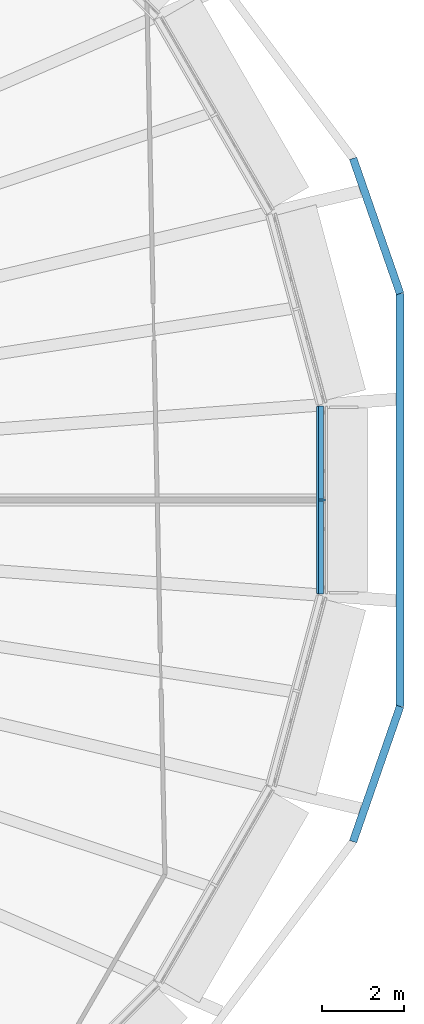
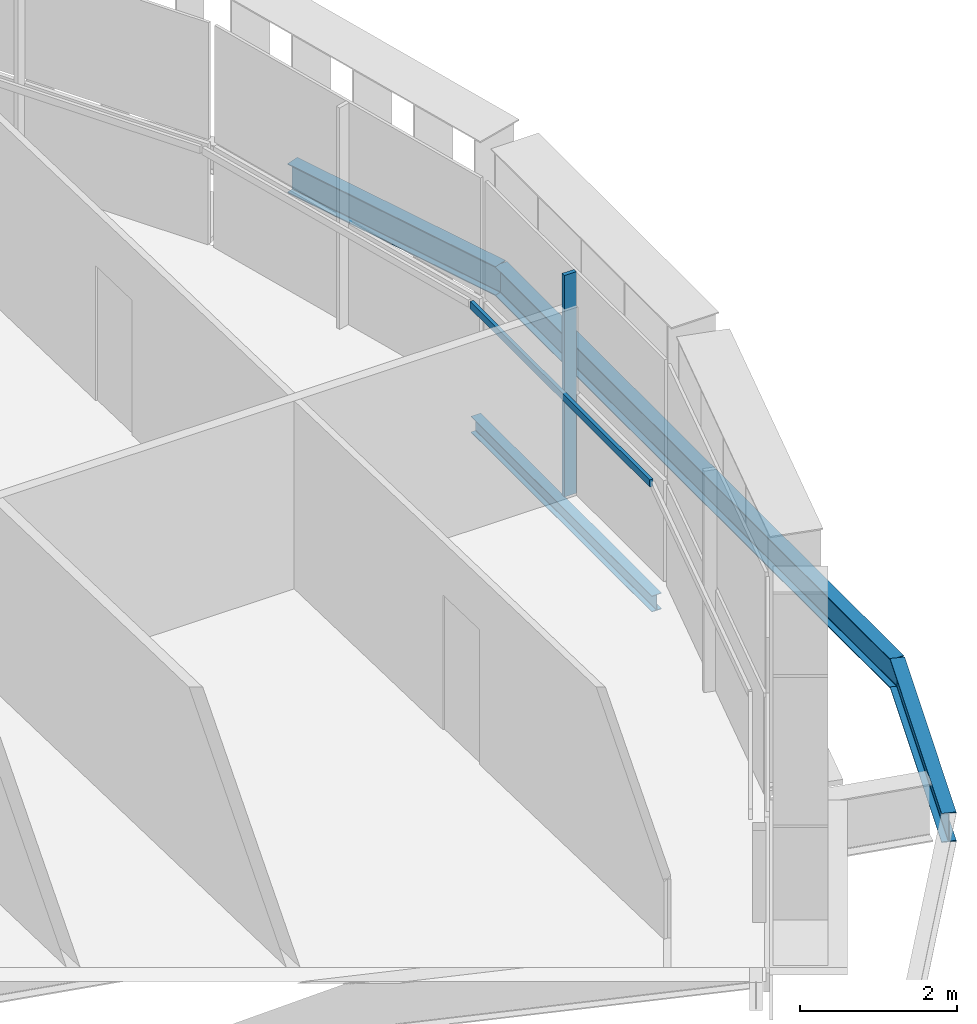
# One storey, part 9 of 23: 4 beams, 2 members, 1 element without a shape of its own.
"""IFC4 building model written with IfcOpenShell, lengths in metres."""

from ifc_helpers import new_model, si_unit, direction, frame, origin, origin_2d, place, context, subcontext, project, spatial, rectangle, i_section, extrude, material, layer, layer_set, material_profile, profile_set, type_object, element, aggregate, save


model = new_model("IFC4")

# Units and contexts
model_context = context("Model", 3, precision=1e-05, world=origin(), true_north=direction((0.0, 1.0)))
body_context = subcontext(model_context, "Body", "Model", "MODEL_VIEW")
ifc_project = project(units=[si_unit("LENGTHUNIT", "METRE"), si_unit("AREAUNIT", "SQUARE_METRE"), si_unit("VOLUMEUNIT", "CUBIC_METRE"), si_unit("PLANEANGLEUNIT", "RADIAN"), si_unit("MASSUNIT", "GRAM", prefix="KILO")], contexts=[model_context])

# Site, building, storey
site_placement = place(None, origin())
site = spatial("IfcSite", under=ifc_project, at=site_placement, CompositionType="ELEMENT")
building_placement = place(site_placement, origin())
building = spatial("IfcBuilding", under=site, at=building_placement, Name="Sahrelin Media Tower", CompositionType="ELEMENT")
storey_placement = place(building_placement, frame((0.0, 0.0, 161.60009765625)))
storey = spatial("IfcBuildingStorey", under=building, at=storey_placement, Name="L33", CompositionType="ELEMENT", Elevation=161.60009765625)

# Beam
ifc_material_1 = material(Name="Steel S355", Category="steel")
ifc_material_profile_1 = material_profile(ifc_material_1, i_section(OverallWidth=0.14599609375, OverallDepth=0.25146484375, WebThickness=0.006103515625, FlangeThickness=0.008544921875, FilletRadius=0.007568359375, at=origin_2d()), Name="UB 254x146x31")
ifc_profile_set_1 = profile_set([ifc_material_profile_1], Name="Steel S355")
beam_type_1 = type_object("IfcBeamType", Name="Edge beam EB1", PredefinedType="BEAM", material=ifc_profile_set_1)
beam_1_placement = place(storey_placement, frame((31.201416015625, 2.30859375, -0.27587890625), z_axis=(0.0, -1.0, 0.0), x_axis=(1.0, 0.0, 0.0)))
element("IfcBeam", 1, at=beam_1_placement, inside=storey, type_object=beam_type_1, Name="Edge beam L33-01", PredefinedType="BEAM", context=body_context, shape_type="SweptSolid", body=[
    extrude(i_section(OverallWidth=0.14599609375, OverallDepth=0.25146484375, WebThickness=0.006103515625, FlangeThickness=0.008544921875, FilletRadius=0.007568359375, at=origin_2d()), origin(), (0.0, 0.0, 1.0), 4.6171875),
])

# Curtain wall, member
ifc_material_2 = material(Name="Champagne anodised aluminium 6063-T6", Category="aluminium")
ifc_layer = layer(ifc_material_2, 0.14990234375)
ifc_layer_set = layer_set([ifc_layer], Name="Tower ribbon curtain wall")
curtain_wall_type = type_object("IfcCurtainWallType", Name="Tower ribbon curtain wall", PredefinedType="NOTDEFINED", material=ifc_layer_set)
curtain_wall_placement = place(storey_placement, frame((31.3515625, 0.0, 0.0), z_axis=(0.0, 0.0, 1.0), x_axis=(1.0, 0.0, 0.0)))
curtain_wall = element("IfcCurtainWall", 2, at=curtain_wall_placement, inside=storey, type_object=curtain_wall_type, Name="L33:CW:L33-00", PredefinedType="NOTDEFINED")
ifc_material_profile_2 = material_profile(ifc_material_2, rectangle(XDim=0.06005859375, YDim=0.175048828125, at=origin_2d()), Name="Mullion 60x175")
ifc_profile_set_2 = profile_set([ifc_material_profile_2], Name="Champagne anodised aluminium 6063-T6")
member_type_1 = type_object("IfcMemberType", Name="Mullion 60x175 CW1B", PredefinedType="MULLION", material=ifc_profile_set_2)
member_1_placement = place(storey_placement, frame((31.243896484375, 0.0, 0.0), z_axis=(0.0, 0.0, 1.0), x_axis=(0.0, 1.0, 0.0)))
member_1 = element("IfcMember", 3, at=member_1_placement, type_object=member_type_1, Name="L33:CWM:L33-00", PredefinedType="MULLION", context=body_context, shape_type="SweptSolid", body=[
    extrude(rectangle(XDim=0.06005859375, YDim=0.175048828125, at=origin_2d()), origin(), (0.0, 0.0, 1.0), 3.448486328125),
])

# Beams
ifc_material_profile_3 = material_profile(ifc_material_1, i_section(OverallWidth=0.1904296875, OverallDepth=0.45703125, WebThickness=0.009033203125, FlangeThickness=0.014404296875, FilletRadius=0.01025390625, at=origin_2d()), Name="UB 457x191x74")
ifc_profile_set_3 = profile_set([ifc_material_profile_3], Name="Steel S355")
beam_type_2 = type_object("IfcBeamType", Name="Tie chord TC5", PredefinedType="BEAM", material=ifc_profile_set_3)
for number, where, z_axis, x_axis, name in (
    (4, (33.155517578125, 5.0615234375, -0.378662109375), (-0.328720253027, 0.944427337199, 0.0), (-0.944427337199, -0.328720253027, 0.0), "Tie chord L33-01"),
    (5, (32.001708984375, -8.37646484375, -0.378662109375), (0.328720253027, 0.944427337199, 0.0), (-0.944427337199, 0.328720253027, 0.0), "Tie chord L33-23"),
):
    element("IfcBeam", number, at=place(storey_placement, frame(where, z_axis=z_axis, x_axis=x_axis)), inside=storey, type_object=beam_type_2, Name=name, PredefinedType="BEAM", context=body_context, shape_type="SweptSolid", body=[
        extrude(i_section(OverallWidth=0.1904296875, OverallDepth=0.45703125, WebThickness=0.009033203125, FlangeThickness=0.014404296875, FilletRadius=0.01025390625, at=origin_2d()), origin(), (0.0, 0.0, 1.0), 3.510009765625),
    ])
beam_2_placement = place(storey_placement, frame((33.155517578125, -5.0615234375, -0.378662109375), z_axis=(0.0, 1.0, 0.0), x_axis=(-1.0, 0.0, 0.0)))
element("IfcBeam", 6, at=beam_2_placement, inside=storey, type_object=beam_type_2, Name="Tie chord L33-24", PredefinedType="BEAM", context=body_context, shape_type="SweptSolid", body=[
    extrude(i_section(OverallWidth=0.1904296875, OverallDepth=0.45703125, WebThickness=0.009033203125, FlangeThickness=0.014404296875, FilletRadius=0.01025390625, at=origin_2d()), origin(), (0.0, 0.0, 1.0), 10.123046875),
])

# Member
ifc_material_profile_4 = material_profile(ifc_material_2, rectangle(XDim=0.050048828125, YDim=0.110107421875, at=origin_2d()), Name="Transom 50x110")
ifc_profile_set_4 = profile_set([ifc_material_profile_4], Name="Champagne anodised aluminium 6063-T6")
member_type_2 = type_object("IfcMemberType", Name="Transom 50x110 CW1B", PredefinedType="USERDEFINED", material=ifc_profile_set_4)
member_2_placement = place(storey_placement, frame((31.131591796875, -2.29296875, 1.599853515625), z_axis=(0.0, 1.0, 0.0), x_axis=(-1.0, 0.0, 0.0)))
member_2 = element("IfcMember", 7, at=member_2_placement, type_object=member_type_2, Name="L33:CWT:L33-00", ObjectType="TRANSOM", PredefinedType="USERDEFINED", context=body_context, shape_type="SweptSolid", body=[
    extrude(rectangle(XDim=0.050048828125, YDim=0.110107421875, at=origin_2d()), origin(), (0.0, 0.0, 1.0), 4.5859375),
])

aggregate(curtain_wall, [member_1, member_2])

save(model, "model.ifc")
